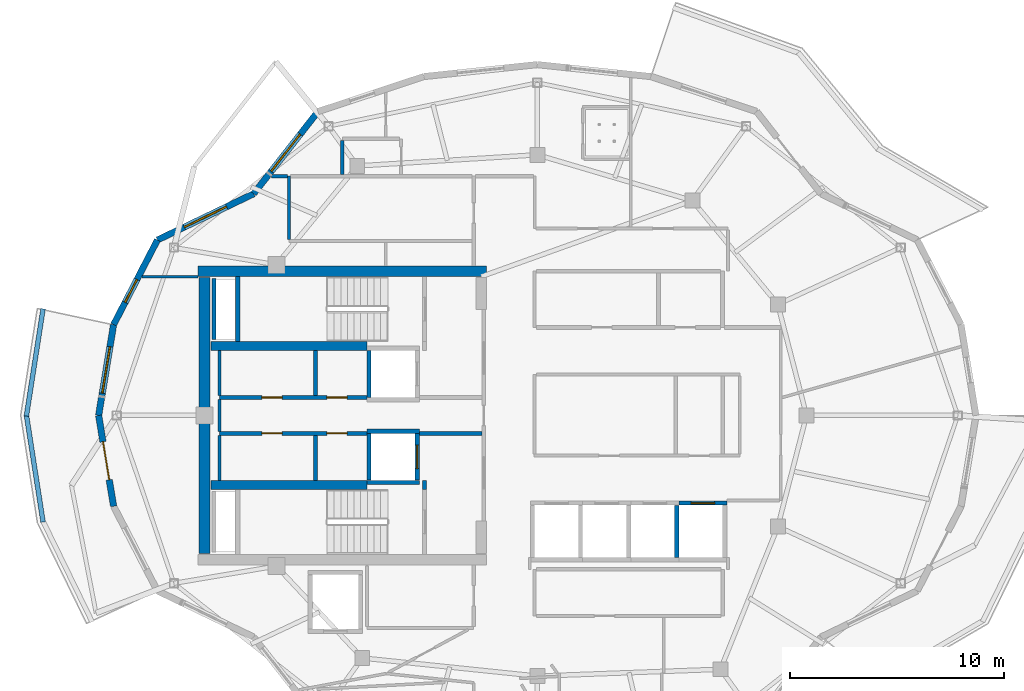
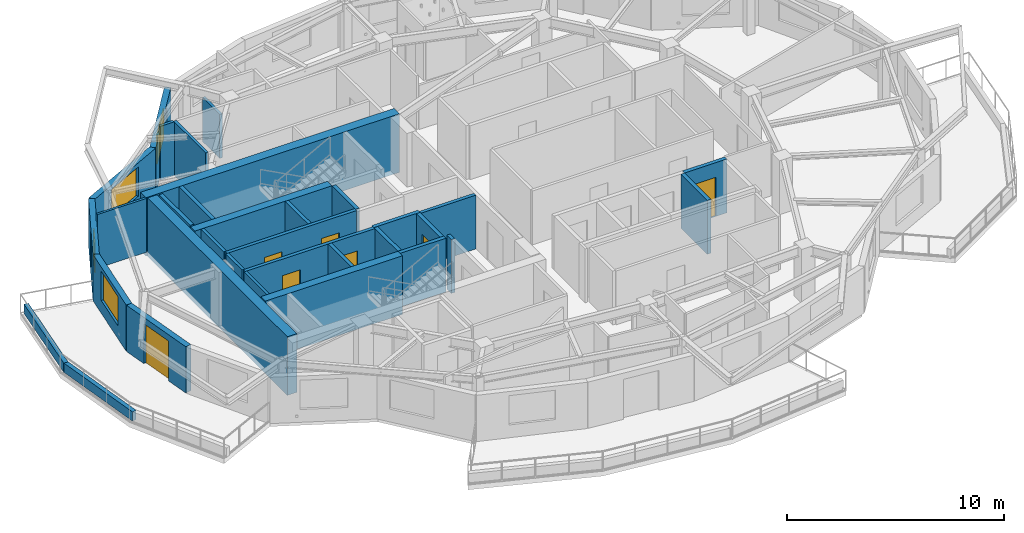
# One storey, part 4 of 11: 33 walls, 7 doors, 4 windows, 11 openings.
"""IFC4 building model written with IfcOpenShell, lengths in metres."""

from ifc_helpers import new_model, si_unit, direction, frame, frame_2d, origin, place, context, subcontext, project, spatial, rectangle, extrude, material, layer, layer_set, type_object, element, fill, save


model = new_model("IFC4")

# Units and contexts
model_context = context("Model", 3, precision=1e-05, world=origin(), true_north=direction((0.0, 1.0)))
body_context = subcontext(model_context, "Body", "Model", "MODEL_VIEW")
ifc_project = project(units=[si_unit("LENGTHUNIT", "METRE"), si_unit("AREAUNIT", "SQUARE_METRE"), si_unit("VOLUMEUNIT", "CUBIC_METRE"), si_unit("PLANEANGLEUNIT", "RADIAN"), si_unit("MASSUNIT", "GRAM", prefix="KILO")], contexts=[model_context])

# Site, building, storey
site_placement = place(None, origin())
site = spatial("IfcSite", under=ifc_project, at=site_placement, CompositionType="ELEMENT")
building_placement = place(site_placement, origin())
building = spatial("IfcBuilding", under=site, at=building_placement, Name="Kolvaren Gate Tower and Convention Centre", CompositionType="ELEMENT")
storey_placement = place(building_placement, frame((0.0, 0.0, 269.0)))
storey = spatial("IfcBuildingStorey", under=building, at=storey_placement, Name="L73", CompositionType="ELEMENT", Elevation=269.0)

# Wall
ifc_material_1 = material(Name="Autoclaved Aerated Masonry Blockwork Class 4 (4.0 MPa)", Category="masonry")
ifc_layer_1 = layer(ifc_material_1, 0.179931640625)
ifc_layer_set_1 = layer_set([ifc_layer_1], Name="Autoclaved Aerated Masonry Blockwork Class 4 (4.0 MPa)")
wall_type_1 = type_object("IfcWallType", Name="ARCH-WL-COMP-180", PredefinedType="SOLIDWALL", material=ifc_layer_set_1)
wall_1_placement = place(storey_placement, frame((24.85009765625, 23.5400390625, 0.0), z_axis=(0.0, 0.0, 1.0), x_axis=(0.0, 1.0, 0.0)))
element("IfcWall", 1, at=wall_1_placement, inside=storey, type_object=wall_type_1, Name="Interior Partition WL-L73-INT-001", PredefinedType="SOLIDWALL", context=body_context, shape_type="SweptSolid", body=[
    extrude(rectangle(XDim=0.419921875, YDim=0.179931640625, at=frame_2d((0.2099609375, 0.0))), origin(), (0.0, 0.0, 1.0), 3.030029296875),
])

# Wall, openings, doors
wall_2_placement = place(storey_placement, frame((15.25, 27.840087890625, 0.0), z_axis=(0.0, 0.0, 1.0), x_axis=(1.0, 0.0, 0.0)))
wall_2 = element("IfcWall", 2, at=wall_2_placement, inside=storey, type_object=wall_type_1, Name="Interior Partition WL-L73-INT-004", PredefinedType="SOLIDWALL", context=body_context, shape_type="SweptSolid", body=[
    extrude(rectangle(XDim=6.89990234375, YDim=0.179931640625, at=frame_2d((3.449951171875, 0.0))), origin(), (0.0, 0.0, 1.0), 3.030029296875),
])
opening_1_placement = place(wall_2_placement, frame((5.02001953125, 0.0, 0.0)))
opening_1 = element("IfcOpeningElement", 3, at=opening_1_placement, cuts=wall_2, Name="Opening DR-01", PredefinedType="OPENING", context=body_context, shape_type="SweptSolid", body=[
    extrude(rectangle(XDim=0.949951171875, YDim=2.10009765625, at=frame_2d((0.47509765625, 1.050048828125))), frame((0.0, 0.099853515625, 0.0), z_axis=(0.0, -1.0, 0.0), x_axis=(1.0, 0.0, 0.0)), (0.0, 0.0, 1.0), 0.199951171875),
])
opening_2_placement = place(wall_2_placement, frame((1.97998046875, 0.0, 0.0)))
opening_2 = element("IfcOpeningElement", 4, at=opening_2_placement, cuts=wall_2, Name="Opening DR-01", PredefinedType="OPENING", context=body_context, shape_type="SweptSolid", body=[
    extrude(rectangle(XDim=0.949951171875, YDim=2.10009765625, at=frame_2d((0.47509765625, 1.050048828125))), frame((0.0, 0.099853515625, 0.0), z_axis=(0.0, -1.0, 0.0), x_axis=(1.0, 0.0, 0.0)), (0.0, 0.0, 1.0), 0.199951171875),
])
ifc_material_2 = material(Name="Painted Architectural Steelwork ASTM A500 Grade C 345 MPa", Category="steel")
door_type_1 = type_object("IfcDoorType", Name="ARCH-DR-RISER-950", OperationType="SINGLE_SWING_RIGHT", PredefinedType="DOOR", material=ifc_material_2)
door_1_placement = place(opening_1_placement, origin())
door_1 = element("IfcDoor", 5, at=door_1_placement, inside=storey, type_object=door_type_1, Name="Electrical Switchgear Closet Door", OperationType="SINGLE_SWING_RIGHT", OverallHeight=2.10009765625, OverallWidth=0.949951171875, PredefinedType="DOOR", context=body_context, shape_type="SweptSolid", body=[
    extrude(rectangle(XDim=0.949951171875, YDim=2.10009765625, at=frame_2d((0.47509765625, 1.050048828125))), frame((0.0, 0.02490234375, 0.0), z_axis=(0.0, -1.0, 0.0), x_axis=(1.0, 0.0, 0.0)), (0.0, 0.0, 1.0), 0.050048828125),
])
fill(opening_1, door_1)
door_2_placement = place(opening_2_placement, origin())
door_2 = element("IfcDoor", 6, at=door_2_placement, inside=storey, type_object=door_type_1, Name="Staff Powder Washroom Door", OperationType="SINGLE_SWING_RIGHT", OverallHeight=2.10009765625, OverallWidth=0.949951171875, PredefinedType="DOOR", context=body_context, shape_type="SweptSolid", body=[
    extrude(rectangle(XDim=0.949951171875, YDim=2.10009765625, at=frame_2d((0.47509765625, 1.050048828125))), frame((0.0, 0.02490234375, 0.0), z_axis=(0.0, -1.0, 0.0), x_axis=(1.0, 0.0, 0.0)), (0.0, 0.0, 1.0), 0.050048828125),
])
fill(opening_2, door_2)

wall_3_placement = place(storey_placement, frame((15.25, 26.159912109375, 0.0), z_axis=(0.0, 0.0, 1.0), x_axis=(1.0, 0.0, 0.0)))
wall_3 = element("IfcWall", 7, at=wall_3_placement, inside=storey, type_object=wall_type_1, Name="Interior Partition WL-L73-INT-005", PredefinedType="SOLIDWALL", context=body_context, shape_type="SweptSolid", body=[
    extrude(rectangle(XDim=6.89990234375, YDim=0.179931640625, at=frame_2d((3.449951171875, 0.0))), origin(), (0.0, 0.0, 1.0), 3.030029296875),
])
opening_3_placement = place(wall_3_placement, frame((5.02001953125, 0.0, 0.0)))
opening_3 = element("IfcOpeningElement", 8, at=opening_3_placement, cuts=wall_3, Name="Opening DR-01", PredefinedType="OPENING", context=body_context, shape_type="SweptSolid", body=[
    extrude(rectangle(XDim=0.949951171875, YDim=2.10009765625, at=frame_2d((0.47509765625, 1.050048828125))), frame((0.0, 0.099853515625, 0.0), z_axis=(0.0, -1.0, 0.0), x_axis=(1.0, 0.0, 0.0)), (0.0, 0.0, 1.0), 0.199951171875),
])
opening_4_placement = place(wall_3_placement, frame((1.97998046875, 0.0, 0.0)))
opening_4 = element("IfcOpeningElement", 9, at=opening_4_placement, cuts=wall_3, Name="Opening DR-01", PredefinedType="OPENING", context=body_context, shape_type="SweptSolid", body=[
    extrude(rectangle(XDim=0.949951171875, YDim=2.10009765625, at=frame_2d((0.47509765625, 1.050048828125))), frame((0.0, 0.099853515625, 0.0), z_axis=(0.0, -1.0, 0.0), x_axis=(1.0, 0.0, 0.0)), (0.0, 0.0, 1.0), 0.199951171875),
])
door_3_placement = place(opening_3_placement, origin())
door_3 = element("IfcDoor", 10, at=door_3_placement, inside=storey, type_object=door_type_1, Name="Domestic Water Meter Closet Door", OperationType="SINGLE_SWING_LEFT", OverallHeight=2.10009765625, OverallWidth=0.949951171875, PredefinedType="DOOR", context=body_context, shape_type="SweptSolid", body=[
    extrude(rectangle(XDim=0.949951171875, YDim=2.10009765625, at=frame_2d((0.47509765625, 1.050048828125))), frame((0.0, 0.02490234375, 0.0), z_axis=(0.0, -1.0, 0.0), x_axis=(1.0, 0.0, 0.0)), (0.0, 0.0, 1.0), 0.050048828125),
])
fill(opening_3, door_3)
door_4_placement = place(opening_4_placement, origin())
door_4 = element("IfcDoor", 11, at=door_4_placement, inside=storey, type_object=door_type_1, Name="Janitor Equipment Store Door", OperationType="SINGLE_SWING_LEFT", OverallHeight=2.10009765625, OverallWidth=0.949951171875, PredefinedType="DOOR", context=body_context, shape_type="SweptSolid", body=[
    extrude(rectangle(XDim=0.949951171875, YDim=2.10009765625, at=frame_2d((0.47509765625, 1.050048828125))), frame((0.0, 0.02490234375, 0.0), z_axis=(0.0, -1.0, 0.0), x_axis=(1.0, 0.0, 0.0)), (0.0, 0.0, 1.0), 0.050048828125),
])
fill(opening_4, door_4)

# Walls
wall_4_placement = place(storey_placement, frame((24.60009765625, 26.159912109375, 0.0), z_axis=(0.0, 0.0, 1.0), x_axis=(1.0, 0.0, 0.0)))
element("IfcWall", 12, at=wall_4_placement, inside=storey, type_object=wall_type_1, Name="Interior Partition WL-L73-INT-005 (2)", PredefinedType="SOLIDWALL", context=body_context, shape_type="SweptSolid", body=[
    extrude(rectangle(XDim=2.927978515625, YDim=0.179931640625, at=frame_2d((1.4638671875, 0.0))), origin(), (0.0, 0.0, 1.0), 3.030029296875),
])
for number, where, z_axis, x_axis, name in (
    (13, (19.75, 23.9619140625, 0.0), (0.0, 0.0, 1.0), (0.0, 1.0, 0.0), "Interior Partition WL-L73-INT-007"),
    (14, (19.75, 27.931884765625, 0.0), (0.0, 0.0, 1.0), (0.0, 1.0, 0.0), "Interior Partition WL-L73-INT-008"),
):
    element("IfcWall", number, at=place(storey_placement, frame(where, z_axis=z_axis, x_axis=x_axis)), inside=storey, type_object=wall_type_1, Name=name, PredefinedType="SOLIDWALL", context=body_context, shape_type="SweptSolid", body=[
        extrude(rectangle(XDim=2.106201171875, YDim=0.179931640625, at=frame_2d((1.05322265625, 0.0))), origin(), (0.0, 0.0, 1.0), 3.030029296875),
    ])
ifc_material_3 = material(Name="Fire-Rated Acoustic Gypsum Stud Partition", Category="gypsum")
ifc_layer_2 = layer(ifc_material_3, 0.1201171875)
ifc_layer_set_2 = layer_set([ifc_layer_2], Name="Fire-Rated Acoustic Gypsum Stud Partition")
wall_type_2 = type_object("IfcWallType", Name="ARCH-WL-PART-120", PredefinedType="PARTITIONING", material=ifc_layer_set_2)
wall_5_placement = place(storey_placement, frame((11.62890625, 33.5, 0.0), z_axis=(0.0, 0.0, 1.0), x_axis=(1.0, 0.0, 0.0)))
element("IfcWall", 15, at=wall_5_placement, inside=storey, type_object=wall_type_2, Name="Interior Partition WL-L73-INT-049", PredefinedType="PARTITIONING", context=body_context, shape_type="SweptSolid", body=[
    extrude(rectangle(XDim=2.62109375, YDim=0.1201171875, at=frame_2d((1.310546875, 0.0))), origin(), (0.0, 0.0, 1.0), 3.030029296875),
])
ifc_material_4 = material(Name="Piedmont Cream Honed Limestone Cladding", Category="masonry")
ifc_layer_3 = layer(ifc_material_4, 0.219970703125)
ifc_layer_set_3 = layer_set([ifc_layer_3], Name="Piedmont Cream Honed Limestone Cladding")
wall_type_3 = type_object("IfcWallType", Name="ARCH-WL-PLANTER-220", PredefinedType="PARAPET", material=ifc_layer_set_3)
for number, where, z_axis, x_axis, name in (
    (16, (6.21240234375, 26.970703125, 0.0), (0.0, 0.0, 1.0), (0.15374038442, 0.988111276223, 0.0), "Vertical-Forest Balcony Stone Planter Kerb PK-L73-2.1"),
    (17, (6.21240234375, 27.029296875, 0.0), (0.0, 0.0, 1.0), (0.15374038442, -0.988111276223, 0.0), "Vertical-Forest Balcony Stone Planter Kerb PK-L73-2.2"),
):
    element("IfcWall", number, at=place(storey_placement, frame(where, z_axis=z_axis, x_axis=x_axis)), inside=storey, type_object=wall_type_3, Name=name, PredefinedType="PARAPET", context=body_context, shape_type="SweptSolid", body=[
        extrude(rectangle(XDim=5.078369140625, YDim=0.219970703125, at=frame_2d((2.5390625, 0.0))), origin(), (0.0, 0.0, 1.0), 0.52001953125),
    ])
ifc_layer_4 = layer(ifc_material_1, 0.199951171875)
ifc_layer_set_4 = layer_set([ifc_layer_4], Name="Autoclaved Aerated Masonry Blockwork Class 4 (4.0 MPa)")
wall_type_4 = type_object("IfcWallType", Name="ARCH-WL-SHAFT-200", PredefinedType="SOLIDWALL", material=ifc_layer_set_4)
wall_6_placement = place(storey_placement, frame((22.25, 27.85009765625, 0.0), z_axis=(0.0, 0.0, 1.0), x_axis=(0.0, 1.0, 0.0)))
element("IfcWall", 18, at=wall_6_placement, inside=storey, type_object=wall_type_4, Name="Elevator FF-01 L73 Fire Shaft Wall W", PredefinedType="SOLIDWALL", context=body_context, shape_type="SweptSolid", body=[
    extrude(rectangle(XDim=2.179931640625, YDim=0.199951171875, at=frame_2d((1.08984375, 0.0))), origin(), (0.0, 0.0, 1.0), 3.030029296875),
])
for number, where, z_axis, x_axis, name in (
    (19, (22.14990234375, 26.260009765625, 0.0), (0.0, 0.0, 1.0), (1.0, 0.0, 0.0), "Elevator FF-02 L73 Fire Shaft Wall N"),
    (20, (22.14990234375, 23.860107421875, 0.0), (0.0, 0.0, 1.0), (1.0, 0.0, 0.0), "Elevator FF-02 L73 Fire Shaft Wall S"),
):
    element("IfcWall", number, at=place(storey_placement, frame(where, z_axis=z_axis, x_axis=x_axis)), inside=storey, type_object=wall_type_4, Name=name, PredefinedType="SOLIDWALL", context=body_context, shape_type="SweptSolid", body=[
        extrude(rectangle(XDim=2.4501953125, YDim=0.199951171875, at=frame_2d((1.22509765625, 0.0))), origin(), (0.0, 0.0, 1.0), 3.030029296875),
    ])
wall_7_placement = place(storey_placement, frame((22.25, 23.969970703125, 0.0), z_axis=(0.0, 0.0, 1.0), x_axis=(0.0, 1.0, 0.0)))
element("IfcWall", 21, at=wall_7_placement, inside=storey, type_object=wall_type_4, Name="Elevator FF-02 L73 Fire Shaft Wall W", PredefinedType="SOLIDWALL", context=body_context, shape_type="SweptSolid", body=[
    extrude(rectangle(XDim=2.179931640625, YDim=0.199951171875, at=frame_2d((1.08984375, 0.0))), origin(), (0.0, 0.0, 1.0), 3.030029296875),
])

# Wall, opening, door
wall_8_placement = place(storey_placement, frame((24.5, 23.969970703125, 0.0), z_axis=(0.0, 0.0, 1.0), x_axis=(0.0, 1.0, 0.0)))
wall_8 = element("IfcWall", 22, at=wall_8_placement, inside=storey, type_object=wall_type_4, Name="Elevator FF-02 L73 Fire Shaft Wall E", PredefinedType="SOLIDWALL", context=body_context, shape_type="SweptSolid", body=[
    extrude(rectangle(XDim=2.179931640625, YDim=0.199951171875, at=frame_2d((1.08984375, 0.0))), origin(), (0.0, 0.0, 1.0), 3.030029296875),
])
opening_5_placement = place(wall_8_placement, frame((0.5400390625, 0.0, 0.0)))
opening_5 = element("IfcOpeningElement", 23, at=opening_5_placement, cuts=wall_8, Name="Opening LD", PredefinedType="OPENING", context=body_context, shape_type="SweptSolid", body=[
    extrude(rectangle(XDim=1.10009765625, YDim=2.199951171875, at=frame_2d((0.550048828125, 1.10009765625))), frame((0.0, 0.10986328125, 0.0), z_axis=(0.0, -1.0, 0.0), x_axis=(1.0, 0.0, 0.0)), (0.0, 0.0, 1.0), 0.219970703125),
])
ifc_material_5 = material(Name="Brushed Stainless Steel Grade 316L", Category="steel")
door_type_2 = type_object("IfcDoorType", Name="ARCH-DR-LIFT-1100", OperationType="SLIDING_TO_LEFT", PredefinedType="DOOR", material=ifc_material_5)
door_5_placement = place(opening_5_placement, origin())
door_5 = element("IfcDoor", 24, at=door_5_placement, inside=storey, type_object=door_type_2, Name="Elevator FF-02 L73 Sliding Landing Door", OperationType="SLIDING_TO_LEFT", OverallHeight=2.199951171875, OverallWidth=1.10009765625, PredefinedType="DOOR", context=body_context, shape_type="SweptSolid", body=[
    extrude(rectangle(XDim=1.10009765625, YDim=2.199951171875, at=frame_2d((0.550048828125, 1.10009765625))), frame((0.0, 0.02490234375, 0.0), z_axis=(0.0, -1.0, 0.0), x_axis=(1.0, 0.0, 0.0)), (0.0, 0.0, 1.0), 0.050048828125),
])
fill(opening_5, door_5)

# Wall
wall_9_placement = place(storey_placement, frame((36.64990234375, 20.360107421875, 0.0), z_axis=(0.0, 0.0, 1.0), x_axis=(0.0, 1.0, 0.0)))
element("IfcWall", 25, at=wall_9_placement, inside=storey, type_object=wall_type_4, Name="Elevator PL-11 L73 Fire Shaft Wall E", PredefinedType="SOLIDWALL", context=body_context, shape_type="SweptSolid", body=[
    extrude(rectangle(XDim=2.429931640625, YDim=0.199951171875, at=frame_2d((1.21484375, 0.0))), origin(), (0.0, 0.0, 1.0), 3.030029296875),
])

# Wall, opening, door
wall_10_placement = place(storey_placement, frame((36.75, 22.89990234375, 0.0), z_axis=(0.0, 0.0, 1.0), x_axis=(1.0, 0.0, 0.0)))
wall_10 = element("IfcWall", 26, at=wall_10_placement, inside=storey, type_object=wall_type_4, Name="Elevator PL-12 L73 Fire Shaft Wall N", PredefinedType="SOLIDWALL", context=body_context, shape_type="SweptSolid", body=[
    extrude(rectangle(XDim=2.25, YDim=0.199951171875, at=frame_2d((1.125, 0.0))), origin(), (0.0, 0.0, 1.0), 3.030029296875),
])
opening_6_placement = place(wall_10_placement, frame((0.574951171875, 0.0, 0.0)))
opening_6 = element("IfcOpeningElement", 27, at=opening_6_placement, cuts=wall_10, Name="Opening LD", PredefinedType="OPENING", context=body_context, shape_type="SweptSolid", body=[
    extrude(rectangle(XDim=1.10009765625, YDim=2.199951171875, at=frame_2d((0.550048828125, 1.10009765625))), frame((0.0, 0.10986328125, 0.0), z_axis=(0.0, -1.0, 0.0), x_axis=(1.0, 0.0, 0.0)), (0.0, 0.0, 1.0), 0.219970703125),
])
door_6_placement = place(opening_6_placement, origin())
door_6 = element("IfcDoor", 28, at=door_6_placement, inside=storey, type_object=door_type_2, Name="Elevator PL-12 L73 Sliding Landing Door", OperationType="SLIDING_TO_LEFT", OverallHeight=2.199951171875, OverallWidth=1.10009765625, PredefinedType="DOOR", context=body_context, shape_type="SweptSolid", body=[
    extrude(rectangle(XDim=1.10009765625, YDim=2.199951171875, at=frame_2d((0.550048828125, 1.10009765625))), frame((0.0, 0.02490234375, 0.0), z_axis=(0.0, -1.0, 0.0), x_axis=(1.0, 0.0, 0.0)), (0.0, 0.0, 1.0), 0.050048828125),
])
fill(opening_6, door_6)

# Wall
wall_11_placement = place(storey_placement, frame((14.989990234375, 30.550048828125, 0.0), z_axis=(0.0, 0.0, 1.0), x_axis=(0.0, 1.0, 0.0)))
element("IfcWall", 29, at=wall_11_placement, inside=storey, type_object=wall_type_4, Name="Vertical Shaft HVR L73 EI-120 Enclosure Wall W", PredefinedType="SOLIDWALL", context=body_context, shape_type="SweptSolid", body=[
    extrude(rectangle(XDim=2.849853515625, YDim=0.199951171875, at=frame_2d((1.4248046875, 0.0))), origin(), (0.0, 0.0, 1.0), 3.030029296875),
])

# Wall, opening, window
ifc_layer_5 = layer(ifc_material_4, 0.300048828125)
ifc_layer_set_5 = layer_set([ifc_layer_5], Name="Piedmont Cream Honed Limestone Cladding")
wall_type_5 = type_object("IfcWallType", Name="ARCH-WL-STONE-300", PredefinedType="SOLIDWALL", material=ifc_layer_set_5)
wall_12_placement = place(storey_placement, frame((16.84619140625, 37.37548828125, 0.0), z_axis=(0.0, 0.0, 1.0), x_axis=(0.616413297421, 0.78742278781, 0.0)))
wall_12 = element("IfcWall", 30, at=wall_12_placement, inside=storey, type_object=wall_type_5, Name="Tower L73 Honed Stone Spandrel Wall EW-08", PredefinedType="SOLIDWALL", context=body_context, shape_type="SweptSolid", body=[
    extrude(rectangle(XDim=4.88818359375, YDim=0.300048828125, at=frame_2d((2.444091796875, 0.0))), origin(), (0.0, 0.0, 1.0), 2.60498046875),
])
opening_7_placement = place(wall_12_placement, frame((1.343994140625, 0.0, 0.719970703125)))
opening_7 = element("IfcOpeningElement", 31, at=opening_7_placement, cuts=wall_12, Name="Opening W-03", PredefinedType="OPENING", context=body_context, shape_type="SweptSolid", body=[
    extrude(rectangle(XDim=2.199951171875, YDim=1.64990234375, at=frame_2d((1.10009765625, 0.824951171875))), frame((0.0, 0.159912109375, 0.0), z_axis=(0.0, -1.0, 0.0), x_axis=(1.0, 0.0, 0.0)), (0.0, 0.0, 1.0), 0.320068359375),
])
ifc_material_6 = material(Name="Low-E Triple Insulated Glazing Unit 44 mm", Category="glass")
window_type_1 = type_object("IfcWindowType", Name="ARCH-WN-RES-2200", PartitioningType="SINGLE_PANEL", PredefinedType="WINDOW", material=ifc_material_6)
window_1_placement = place(opening_7_placement, origin())
window_1 = element("IfcWindow", 32, at=window_1_placement, inside=storey, type_object=window_type_1, Name="Tower L73 Punched Stone Facade Window W-08", OverallHeight=1.64990234375, OverallWidth=2.199951171875, PartitioningType="SINGLE_PANEL", PredefinedType="WINDOW", context=body_context, shape_type="SweptSolid", body=[
    extrude(rectangle(XDim=2.199951171875, YDim=1.64990234375, at=frame_2d((1.10009765625, 0.824951171875))), frame((0.0, 0.030029296875, 0.0), z_axis=(0.0, -1.0, 0.0), x_axis=(1.0, 0.0, 0.0)), (0.0, 0.0, 1.0), 0.06005859375),
])
fill(opening_7, window_1)

wall_13_placement = place(storey_placement, frame((12.344482421875, 35.21240234375, 0.0), z_axis=(0.0, 0.0, 1.0), x_axis=(0.901346013132, 0.433099716706, 0.0)))
wall_13 = element("IfcWall", 33, at=wall_13_placement, inside=storey, type_object=wall_type_5, Name="Tower L73 Honed Stone Spandrel Wall EW-09", PredefinedType="SOLIDWALL", context=body_context, shape_type="SweptSolid", body=[
    extrude(rectangle(XDim=4.994384765625, YDim=0.300048828125, at=frame_2d((2.4970703125, 0.0))), origin(), (0.0, 0.0, 1.0), 2.60498046875),
])
opening_8_placement = place(wall_13_placement, frame((1.39697265625, 0.0, 0.719970703125)))
opening_8 = element("IfcOpeningElement", 34, at=opening_8_placement, cuts=wall_13, Name="Opening W-03", PredefinedType="OPENING", context=body_context, shape_type="SweptSolid", body=[
    extrude(rectangle(XDim=2.199951171875, YDim=1.64990234375, at=frame_2d((1.10009765625, 0.824951171875))), frame((0.0, 0.159912109375, 0.0), z_axis=(0.0, -1.0, 0.0), x_axis=(1.0, 0.0, 0.0)), (0.0, 0.0, 1.0), 0.320068359375),
])
window_2_placement = place(opening_8_placement, origin())
window_2 = element("IfcWindow", 35, at=window_2_placement, inside=storey, type_object=window_type_1, Name="Tower L73 Punched Stone Facade Window W-09", OverallHeight=1.64990234375, OverallWidth=2.199951171875, PartitioningType="SINGLE_PANEL", PredefinedType="WINDOW", context=body_context, shape_type="SweptSolid", body=[
    extrude(rectangle(XDim=2.199951171875, YDim=1.64990234375, at=frame_2d((1.10009765625, 0.824951171875))), frame((0.0, 0.030029296875, 0.0), z_axis=(0.0, -1.0, 0.0), x_axis=(1.0, 0.0, 0.0)), (0.0, 0.0, 1.0), 0.06005859375),
])
fill(opening_8, window_2)

wall_14_placement = place(storey_placement, frame((10.29345703125, 31.251220703125, 0.0), z_axis=(0.0, 0.0, 1.0), x_axis=(0.459801070243, 0.888021945564, 0.0)))
wall_14 = element("IfcWall", 36, at=wall_14_placement, inside=storey, type_object=wall_type_5, Name="Tower L73 Honed Stone Spandrel Wall EW-10", PredefinedType="SOLIDWALL", context=body_context, shape_type="SweptSolid", body=[
    extrude(rectangle(XDim=4.460693359375, YDim=0.300048828125, at=frame_2d((2.23046875, 0.0))), origin(), (0.0, 0.0, 1.0), 2.60498046875),
])
opening_9_placement = place(wall_14_placement, frame((1.179931640625, 0.0, 0.719970703125)))
opening_9 = element("IfcOpeningElement", 37, at=opening_9_placement, cuts=wall_14, Name="Opening W-04", PredefinedType="OPENING", context=body_context, shape_type="SweptSolid", body=[
    extrude(rectangle(XDim=1.199951171875, YDim=1.64990234375, at=frame_2d((0.60009765625, 0.824951171875))), frame((0.0, 0.159912109375, 0.0), z_axis=(0.0, -1.0, 0.0), x_axis=(1.0, 0.0, 0.0)), (0.0, 0.0, 1.0), 0.320068359375),
])
window_type_2 = type_object("IfcWindowType", Name="ARCH-WN-NARROW-1200", PartitioningType="SINGLE_PANEL", PredefinedType="WINDOW", material=ifc_material_6)
window_3_placement = place(opening_9_placement, origin())
window_3 = element("IfcWindow", 38, at=window_3_placement, inside=storey, type_object=window_type_2, Name="Tower L73 Punched Stone Facade Window W-10", OverallHeight=1.64990234375, OverallWidth=1.199951171875, PartitioningType="SINGLE_PANEL", PredefinedType="WINDOW", context=body_context, shape_type="SweptSolid", body=[
    extrude(rectangle(XDim=1.199951171875, YDim=1.64990234375, at=frame_2d((0.60009765625, 0.824951171875))), frame((0.0, 0.030029296875, 0.0), z_axis=(0.0, -1.0, 0.0), x_axis=(1.0, 0.0, 0.0)), (0.0, 0.0, 1.0), 0.06005859375),
])
fill(opening_9, window_3)

wall_15_placement = place(storey_placement, frame((9.59375, 27.0, 0.0), z_axis=(0.0, 0.0, 1.0), x_axis=(0.162404622434, 0.98672424649, 0.0)))
wall_15 = element("IfcWall", 39, at=wall_15_placement, inside=storey, type_object=wall_type_5, Name="Tower L73 Honed Stone Spandrel Wall EW-11", PredefinedType="SOLIDWALL", context=body_context, shape_type="SweptSolid", body=[
    extrude(rectangle(XDim=4.308349609375, YDim=0.300048828125, at=frame_2d((2.154296875, 0.0))), origin(), (0.0, 0.0, 1.0), 2.60498046875),
])
opening_10_placement = place(wall_15_placement, frame((1.053955078125, 0.0, 0.719970703125)))
opening_10 = element("IfcOpeningElement", 40, at=opening_10_placement, cuts=wall_15, Name="Opening W-03", PredefinedType="OPENING", context=body_context, shape_type="SweptSolid", body=[
    extrude(rectangle(XDim=2.199951171875, YDim=1.64990234375, at=frame_2d((1.10009765625, 0.824951171875))), frame((0.0, 0.159912109375, 0.0), z_axis=(0.0, -1.0, 0.0), x_axis=(1.0, 0.0, 0.0)), (0.0, 0.0, 1.0), 0.320068359375),
])
window_4_placement = place(opening_10_placement, origin())
window_4 = element("IfcWindow", 41, at=window_4_placement, inside=storey, type_object=window_type_1, Name="Tower L73 Punched Stone Facade Window W-11", OverallHeight=1.64990234375, OverallWidth=2.199951171875, PartitioningType="SINGLE_PANEL", PredefinedType="WINDOW", context=body_context, shape_type="SweptSolid", body=[
    extrude(rectangle(XDim=2.199951171875, YDim=1.64990234375, at=frame_2d((1.10009765625, 0.824951171875))), frame((0.0, 0.030029296875, 0.0), z_axis=(0.0, -1.0, 0.0), x_axis=(1.0, 0.0, 0.0)), (0.0, 0.0, 1.0), 0.06005859375),
])
fill(opening_10, window_4)

# Wall, opening, door
wall_16_placement = place(storey_placement, frame((9.59375, 27.0, 0.0), z_axis=(0.0, 0.0, 1.0), x_axis=(0.162404622434, -0.98672424649, 0.0)))
wall_16 = element("IfcWall", 42, at=wall_16_placement, inside=storey, type_object=wall_type_5, Name="Tower L73 Honed Stone Spandrel Wall EW-12", PredefinedType="SOLIDWALL", context=body_context, shape_type="SweptSolid", body=[
    extrude(rectangle(XDim=4.308349609375, YDim=0.300048828125, at=frame_2d((2.154296875, 0.0))), origin(), (0.0, 0.0, 1.0), 2.60498046875),
])
opening_11_placement = place(wall_16_placement, frame((1.25390625, 0.0, 0.0)))
opening_11 = element("IfcOpeningElement", 43, at=opening_11_placement, cuts=wall_16, Name="Opening DB-01", PredefinedType="OPENING", context=body_context, shape_type="SweptSolid", body=[
    extrude(rectangle(XDim=1.800048828125, YDim=2.25, at=frame_2d((0.89990234375, 1.125))), frame((0.0, 0.159912109375, 0.0), z_axis=(0.0, -1.0, 0.0), x_axis=(1.0, 0.0, 0.0)), (0.0, 0.0, 1.0), 0.320068359375),
])
ifc_material_7 = material(Name="Anodized Architectural Aluminium Alloy 6063-T6", Category="aluminium")
door_type_3 = type_object("IfcDoorType", Name="ARCH-DR-BALC-1800", OperationType="SLIDING_TO_LEFT", PredefinedType="DOOR", material=ifc_material_7)
door_7_placement = place(opening_11_placement, frame((1.800048828125, 0.0, 0.0), z_axis=(0.0, 0.0, 1.0), x_axis=(-1.0, 0.0, 0.0)))
door_7 = element("IfcDoor", 44, at=door_7_placement, inside=storey, type_object=door_type_3, Name="Planted Sky Terrace Access Door DB-L73-12", OperationType="SLIDING_TO_LEFT", OverallHeight=2.25, OverallWidth=1.800048828125, PredefinedType="DOOR", context=body_context, shape_type="SweptSolid", body=[
    extrude(rectangle(XDim=1.800048828125, YDim=2.25, at=frame_2d((0.89990234375, 1.125))), frame((0.0, 0.02490234375, 0.0), z_axis=(0.0, -1.0, 0.0), x_axis=(1.0, 0.0, 0.0)), (0.0, 0.0, 1.0), 0.050048828125),
])
fill(opening_11, door_7)

# Walls
ifc_material_8 = material(Name="Moisture-Resistant Cement-Board Acoustic Partition", Category="gypsum")
ifc_layer_6 = layer(ifc_material_8, 0.14990234375)
ifc_layer_set_6 = layer_set([ifc_layer_6], Name="Moisture-Resistant Cement-Board Acoustic Partition")
wall_type_6 = type_object("IfcWallType", Name="ARCH-WL-WET-150", PredefinedType="PARTITIONING", material=ifc_layer_set_6)
wall_17_placement = place(storey_placement, frame((15.25, 23.9619140625, 0.0), z_axis=(0.0, 0.0, 1.0), x_axis=(0.0, 1.0, 0.0)))
element("IfcWall", 45, at=wall_17_placement, inside=storey, type_object=wall_type_6, Name="Interior Partition WL-L73-INT-006", PredefinedType="PARTITIONING", context=body_context, shape_type="SweptSolid", body=[
    extrude(rectangle(XDim=2.106201171875, YDim=0.14990234375, at=frame_2d((1.05322265625, 0.0))), origin(), (0.0, 0.0, 1.0), 3.030029296875),
])
wall_18_placement = place(storey_placement, frame((15.25, 26.251953125, 0.0), z_axis=(0.0, 0.0, 1.0), x_axis=(0.0, 1.0, 0.0)))
element("IfcWall", 46, at=wall_18_placement, inside=storey, type_object=wall_type_6, Name="Interior Partition WL-L73-INT-006 (2)", PredefinedType="PARTITIONING", context=body_context, shape_type="SweptSolid", body=[
    extrude(rectangle(XDim=1.49609375, YDim=0.14990234375, at=frame_2d((0.748046875, 0.0))), origin(), (0.0, 0.0, 1.0), 3.030029296875),
])
wall_19_placement = place(storey_placement, frame((15.25, 27.931884765625, 0.0), z_axis=(0.0, 0.0, 1.0), x_axis=(0.0, 1.0, 0.0)))
element("IfcWall", 47, at=wall_19_placement, inside=storey, type_object=wall_type_6, Name="Interior Partition WL-L73-INT-006 (3)", PredefinedType="PARTITIONING", context=body_context, shape_type="SweptSolid", body=[
    extrude(rectangle(XDim=2.106201171875, YDim=0.14990234375, at=frame_2d((1.05322265625, 0.0))), origin(), (0.0, 0.0, 1.0), 3.030029296875),
])
wall_20_placement = place(storey_placement, frame((18.5, 35.237060546875, 0.0), z_axis=(0.0, 0.0, 1.0), x_axis=(0.0, 1.0, 0.0)))
element("IfcWall", 48, at=wall_20_placement, inside=storey, type_object=wall_type_6, Name="Interior Partition WL-L73-INT-030", PredefinedType="PARTITIONING", context=body_context, shape_type="SweptSolid", body=[
    extrude(rectangle(XDim=2.962890625, YDim=0.14990234375, at=frame_2d((1.4814453125, 0.0))), origin(), (0.0, 0.0, 1.0), 3.030029296875),
])
wall_21_placement = place(storey_placement, frame((17.684814453125, 38.199951171875, 0.0), z_axis=(0.0, 0.0, 1.0), x_axis=(1.0, 0.0, 0.0)))
element("IfcWall", 49, at=wall_21_placement, inside=storey, type_object=wall_type_6, Name="Interior Partition WL-L73-INT-031", PredefinedType="PARTITIONING", context=body_context, shape_type="SweptSolid", body=[
    extrude(rectangle(XDim=0.73828125, YDim=0.14990234375, at=frame_2d((0.369140625, 0.0))), origin(), (0.0, 0.0, 1.0), 3.030029296875),
])
wall_22_placement = place(storey_placement, frame((21.0, 38.277099609375, 0.0), z_axis=(0.0, 0.0, 1.0), x_axis=(0.0, 1.0, 0.0)))
element("IfcWall", 50, at=wall_22_placement, inside=storey, type_object=wall_type_6, Name="Interior Partition WL-L73-INT-063", PredefinedType="PARTITIONING", context=body_context, shape_type="SweptSolid", body=[
    extrude(rectangle(XDim=1.595947265625, YDim=0.14990234375, at=frame_2d((0.7978515625, 0.0))), origin(), (0.0, 0.0, 1.0), 2.47802734375),
])
ifc_material_9 = material(Name="Concrete C50/60", Category="concrete")
ifc_layer_7 = layer(ifc_material_9, 0.419921875)
ifc_layer_set_7 = layer_set([ifc_layer_7], Name="Concrete C50/60")
wall_type_7 = type_object("IfcWallType", Name="STR-WL-CONV-420", PredefinedType="SHEAR", material=ifc_layer_set_7)
for number, where, z_axis, x_axis, name in (
    (51, (14.85009765625, 30.25, -0.27001953125), (0.0, 0.0, 1.0), (1.0, 0.0, 0.0), "Tower L73 Offset Core Shear Wall WN"),
    (52, (14.85009765625, 23.75, -0.27001953125), (0.0, 0.0, 1.0), (1.0, 0.0, 0.0), "Tower L73 Offset Core Shear Wall WS"),
):
    element("IfcWall", number, at=place(storey_placement, frame(where, z_axis=z_axis, x_axis=x_axis)), inside=storey, type_object=wall_type_7, Name=name, PredefinedType="SHEAR", context=body_context, shape_type="SweptSolid", body=[
        extrude(rectangle(XDim=7.2998046875, YDim=0.419921875, at=frame_2d((3.64990234375, 0.0))), origin(), (0.0, 0.0, 1.0), 3.300048828125),
    ])
ifc_layer_8 = layer(ifc_material_9, 0.5)
ifc_layer_set_8 = layer_set([ifc_layer_8], Name="Concrete C50/60")
wall_type_8 = type_object("IfcWallType", Name="STR-WL-CORE-500", PredefinedType="SHEAR", material=ifc_layer_set_8)
wall_23_placement = place(storey_placement, frame((14.25, 33.75, -0.27001953125), z_axis=(0.0, 0.0, 1.0), x_axis=(1.0, 0.0, 0.0)))
element("IfcWall", 53, at=wall_23_placement, inside=storey, type_object=wall_type_8, Name="Tower L73 Offset Core Shear Wall N", PredefinedType="SHEAR", context=body_context, shape_type="SweptSolid", body=[
    extrude(rectangle(XDim=13.5, YDim=0.5, at=frame_2d((6.75, 0.0))), origin(), (0.0, 0.0, 1.0), 3.300048828125),
])
wall_24_placement = place(storey_placement, frame((14.550048828125, 20.550048828125, -0.27001953125), z_axis=(0.0, 0.0, 1.0), x_axis=(0.0, 1.0, 0.0)))
element("IfcWall", 54, at=wall_24_placement, inside=storey, type_object=wall_type_8, Name="Tower L73 Offset Core Shear Wall W", PredefinedType="SHEAR", context=body_context, shape_type="SweptSolid", body=[
    extrude(rectangle(XDim=12.89990234375, YDim=0.5, at=frame_2d((6.449951171875, 0.0))), origin(), (0.0, 0.0, 1.0), 3.300048828125),
])
ifc_layer_9 = layer(ifc_material_9, 0.199951171875)
ifc_layer_set_9 = layer_set([ifc_layer_9], Name="Concrete C50/60")
wall_type_9 = type_object("IfcWallType", Name="STR-WL-SHAFT-200", PredefinedType="SHEAR", material=ifc_layer_set_9)
wall_25_placement = place(storey_placement, frame((16.10009765625, 30.4619140625, -0.27001953125), z_axis=(0.0, 0.0, 1.0), x_axis=(0.0, 1.0, 0.0)))
element("IfcWall", 55, at=wall_25_placement, inside=storey, type_object=wall_type_9, Name="Tower North Exit Stair ST-T1 L73 Structural Shear Enclosure Wall FAR", PredefinedType="SHEAR", context=body_context, shape_type="SweptSolid", body=[
    extrude(rectangle(XDim=3.0361328125, YDim=0.199951171875, at=frame_2d((1.51806640625, 0.0))), origin(), (0.0, 0.0, 1.0), 3.300048828125),
])

save(model, "model.ifc")
